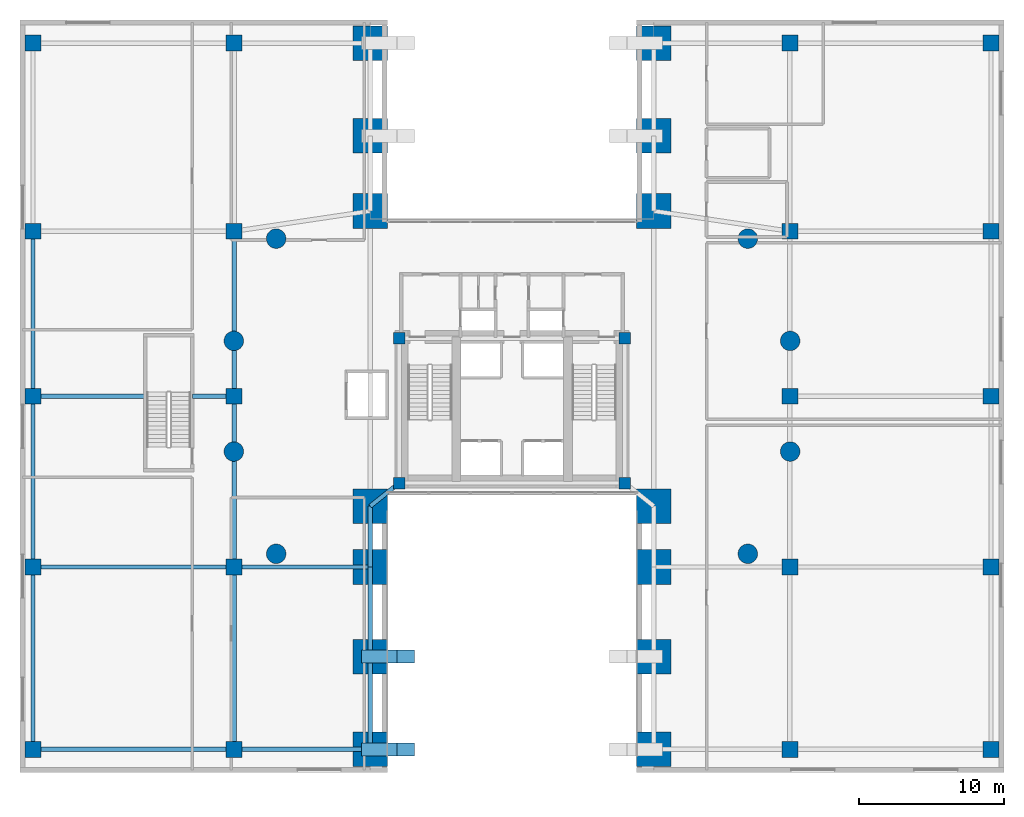
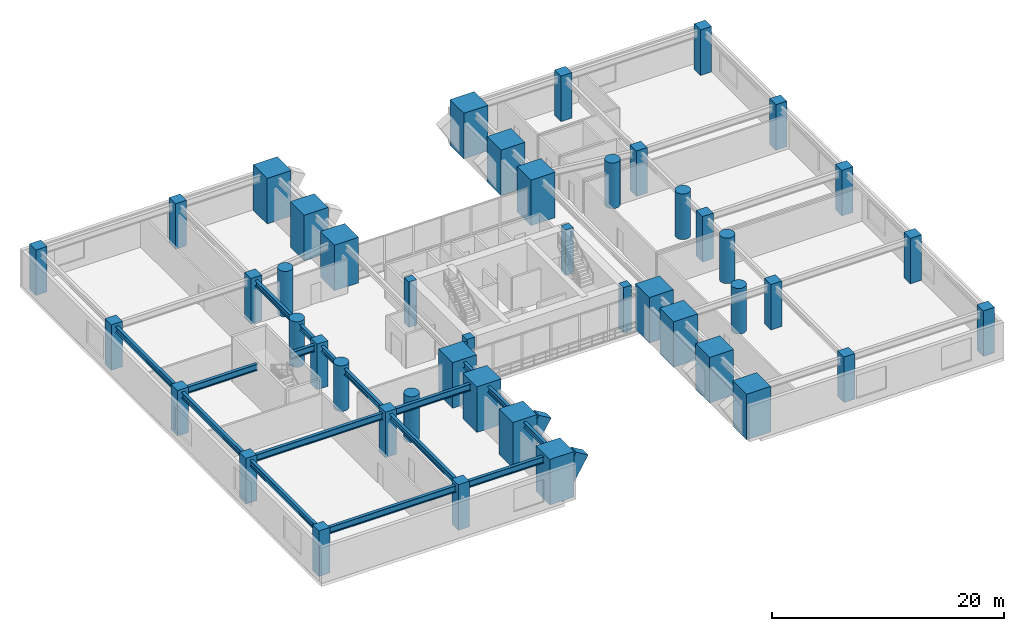
# One storey, part 1 of 14: 46 columns, 18 beams.
"""IFC4 building model written with IfcOpenShell, lengths in metres."""

from ifc_helpers import new_model, si_unit, direction, frame, origin, origin_2d, place, context, subcontext, project, spatial, rectangle, circle, i_section, extrude, material, material_profile, profile_set, type_object, element, save


model = new_model("IFC4")

# Units and contexts
model_context = context("Model", 3, precision=1e-05, world=origin(), true_north=direction((0.0, 1.0)))
body_context = subcontext(model_context, "Body", "Model", "MODEL_VIEW")
ifc_project = project(units=[si_unit("LENGTHUNIT", "METRE"), si_unit("AREAUNIT", "SQUARE_METRE"), si_unit("VOLUMEUNIT", "CUBIC_METRE"), si_unit("PLANEANGLEUNIT", "RADIAN"), si_unit("MASSUNIT", "GRAM", prefix="KILO"), si_unit("THERMODYNAMICTEMPERATUREUNIT", "KELVIN"), si_unit("POWERUNIT", "WATT")], contexts=[model_context])

# Site, building, storey
site_placement = place(None, origin())
site = spatial("IfcSite", under=ifc_project, at=site_placement, CompositionType="ELEMENT")
building_placement = place(site_placement, origin())
building = spatial("IfcBuilding", under=site, at=building_placement, Name="Ocrelia Relay Tower", CompositionType="ELEMENT")
storey_placement = place(building_placement, frame((0.0, 0.0, 5.39990234375)))
storey = spatial("IfcBuildingStorey", under=building, at=storey_placement, Name="L01", CompositionType="ELEMENT", Elevation=5.39990234375)

# Columns
ifc_material_1 = material(Name="Concrete C70/85", Category="concrete")
ifc_material_profile_1 = material_profile(ifc_material_1, rectangle(XDim=1.10009765625, YDim=1.10009765625, at=origin_2d()), Name="RC-COL-1100x1100")
ifc_profile_set_1 = profile_set([ifc_material_profile_1], Name="Concrete C70/85")
column_type_1 = type_object("IfcColumnType", Name="COL-CC-1100", PredefinedType="COLUMN", material=ifc_profile_set_1)
for number, where, z_axis, x_axis, name in (
    (1, (0.89990234375, 1.60009765625, 0.0), (0.0, 0.0, 1.0), (1.0, 0.0, 0.0), "L01 Podium Column PC01"),
    (2, (0.89990234375, 14.199951171875, 0.0), (0.0, 0.0, 1.0), (1.0, 0.0, 0.0), "L01 Podium Column PC02"),
    (3, (0.89990234375, 26.0, 0.0), (0.0, 0.0, 1.0), (1.0, 0.0, 0.0), "L01 Podium Column PC03"),
    (4, (0.89990234375, 37.39990234375, 0.0), (0.0, 0.0, 1.0), (1.0, 0.0, 0.0), "L01 Podium Column PC04"),
    (5, (0.89990234375, 50.39990234375, 0.0), (0.0, 0.0, 1.0), (1.0, 0.0, 0.0), "L01 Podium Column PC05"),
    (6, (14.800048828125, 1.60009765625, 0.0), (0.0, 0.0, 1.0), (1.0, 0.0, 0.0), "L01 Podium Column PC06"),
    (7, (14.800048828125, 14.199951171875, 0.0), (0.0, 0.0, 1.0), (1.0, 0.0, 0.0), "L01 Podium Column PC07"),
    (8, (14.800048828125, 26.0, 0.0), (0.0, 0.0, 1.0), (1.0, 0.0, 0.0), "L01 Podium Column PC08"),
    (9, (14.800048828125, 37.39990234375, 0.0), (0.0, 0.0, 1.0), (1.0, 0.0, 0.0), "L01 Podium Column PC09"),
    (10, (14.800048828125, 50.39990234375, 0.0), (0.0, 0.0, 1.0), (1.0, 0.0, 0.0), "L01 Podium Column PC10"),
    (11, (53.199951171875, 1.60009765625, 0.0), (0.0, 0.0, 1.0), (1.0, 0.0, 0.0), "L01 Podium Column PC11"),
    (12, (53.199951171875, 14.199951171875, 0.0), (0.0, 0.0, 1.0), (1.0, 0.0, 0.0), "L01 Podium Column PC12"),
    (13, (53.199951171875, 26.0, 0.0), (0.0, 0.0, 1.0), (1.0, 0.0, 0.0), "L01 Podium Column PC13"),
    (14, (53.199951171875, 37.39990234375, 0.0), (0.0, 0.0, 1.0), (1.0, 0.0, 0.0), "L01 Podium Column PC14"),
    (15, (53.199951171875, 50.39990234375, 0.0), (0.0, 0.0, 1.0), (1.0, 0.0, 0.0), "L01 Podium Column PC15"),
    (16, (67.10009765625, 1.60009765625, 0.0), (0.0, 0.0, 1.0), (1.0, 0.0, 0.0), "L01 Podium Column PC16"),
    (17, (67.10009765625, 14.199951171875, 0.0), (0.0, 0.0, 1.0), (1.0, 0.0, 0.0), "L01 Podium Column PC17"),
    (18, (67.10009765625, 26.0, 0.0), (0.0, 0.0, 1.0), (1.0, 0.0, 0.0), "L01 Podium Column PC18"),
    (19, (67.10009765625, 37.39990234375, 0.0), (0.0, 0.0, 1.0), (1.0, 0.0, 0.0), "L01 Podium Column PC19"),
    (20, (67.10009765625, 50.39990234375, 0.0), (0.0, 0.0, 1.0), (1.0, 0.0, 0.0), "L01 Podium Column PC20"),
):
    element("IfcColumn", number, at=place(storey_placement, frame(where, z_axis=z_axis, x_axis=x_axis)), inside=storey, type_object=column_type_1, Name=name, PredefinedType="COLUMN", context=body_context, shape_type="SweptSolid", body=[
        extrude(rectangle(XDim=1.10009765625, YDim=1.10009765625, at=origin_2d()), origin(), (0.0, 0.0, 1.0), 4.800048828125),
    ])
ifc_material_profile_2 = material_profile(ifc_material_1, circle(Radius=0.675048828125, at=origin_2d()), Name="RC-CIR-1350")
ifc_profile_set_2 = profile_set([ifc_material_profile_2], Name="Concrete C70/85")
column_type_2 = type_object("IfcColumnType", Name="COL-CT-1350", PredefinedType="COLUMN", material=ifc_profile_set_2)
for number, where, z_axis, x_axis, name in (
    (21, (53.223388671875, 29.82373046875, 0.0), (0.0, 0.0, 1.0), (1.0, 0.0, 0.0), "L01 Tower Ring Column Z1-01"),
    (22, (50.296875, 36.88916015625, 0.0), (0.0, 0.0, 1.0), (1.0, 0.0, 0.0), "L01 Tower Ring Column Z1-02"),
    (23, (17.703125, 36.88916015625, 0.0), (0.0, 0.0, 1.0), (1.0, 0.0, 0.0), "L01 Tower Ring Column Z1-07"),
    (24, (14.776611328125, 29.82373046875, 0.0), (0.0, 0.0, 1.0), (1.0, 0.0, 0.0), "L01 Tower Ring Column Z1-08"),
    (25, (14.776611328125, 22.17626953125, 0.0), (0.0, 0.0, 1.0), (1.0, 0.0, 0.0), "L01 Tower Ring Column Z1-09"),
    (26, (17.703125, 15.11083984375, 0.0), (0.0, 0.0, 1.0), (1.0, 0.0, 0.0), "L01 Tower Ring Column Z1-10"),
    (27, (50.296875, 15.11083984375, 0.0), (0.0, 0.0, 1.0), (1.0, 0.0, 0.0), "L01 Tower Ring Column Z1-15"),
    (28, (53.223388671875, 22.17626953125, 0.0), (0.0, 0.0, 1.0), (1.0, 0.0, 0.0), "L01 Tower Ring Column Z1-16"),
):
    element("IfcColumn", number, at=place(storey_placement, frame(where, z_axis=z_axis, x_axis=x_axis)), inside=storey, type_object=column_type_2, Name=name, PredefinedType="COLUMN", context=body_context, shape_type="SweptSolid", body=[
        extrude(circle(Radius=0.675048828125, at=origin_2d()), origin(), (0.0, 0.0, 1.0), 4.800048828125),
    ])
ifc_material_profile_3 = material_profile(ifc_material_1, rectangle(XDim=2.39990234375, YDim=2.39990234375, at=origin_2d()), Name="RC-PIER-2400x2400")
ifc_profile_set_3 = profile_set([ifc_material_profile_3], Name="Concrete C70/85")
column_type_3 = type_object("IfcColumnType", Name="COL-PIER-2400", PredefinedType="USERDEFINED", material=ifc_profile_set_3)
for number, where, z_axis, x_axis, name in (
    (29, (24.199951171875, 1.60009765625, 0.0), (0.0, 0.0, 1.0), (1.0, 0.0, 0.0), "L01 Portal Arch Pier P01"),
    (30, (24.199951171875, 8.0, 0.0), (0.0, 0.0, 1.0), (1.0, 0.0, 0.0), "L01 Portal Arch Pier P02"),
    (31, (24.199951171875, 14.199951171875, 0.0), (0.0, 0.0, 1.0), (1.0, 0.0, 0.0), "L01 Portal Arch Pier P03"),
    (32, (24.199951171875, 18.39990234375, 0.0), (0.0, 0.0, 1.0), (1.0, 0.0, 0.0), "L01 Portal Arch Pier P04"),
    (33, (24.199951171875, 38.800048828125, 0.0), (0.0, 0.0, 1.0), (1.0, 0.0, 0.0), "L01 Portal Arch Pier P05"),
    (34, (24.199951171875, 44.0, 0.0), (0.0, 0.0, 1.0), (1.0, 0.0, 0.0), "L01 Portal Arch Pier P06"),
    (35, (24.199951171875, 50.39990234375, 0.0), (0.0, 0.0, 1.0), (1.0, 0.0, 0.0), "L01 Portal Arch Pier P07"),
    (36, (43.800048828125, 1.60009765625, 0.0), (0.0, 0.0, 1.0), (1.0, 0.0, 0.0), "L01 Portal Arch Pier P08"),
    (37, (43.800048828125, 8.0, 0.0), (0.0, 0.0, 1.0), (1.0, 0.0, 0.0), "L01 Portal Arch Pier P09"),
    (38, (43.800048828125, 14.199951171875, 0.0), (0.0, 0.0, 1.0), (1.0, 0.0, 0.0), "L01 Portal Arch Pier P10"),
    (39, (43.800048828125, 18.39990234375, 0.0), (0.0, 0.0, 1.0), (1.0, 0.0, 0.0), "L01 Portal Arch Pier P11"),
    (40, (43.800048828125, 38.800048828125, 0.0), (0.0, 0.0, 1.0), (1.0, 0.0, 0.0), "L01 Portal Arch Pier P12"),
    (41, (43.800048828125, 44.0, 0.0), (0.0, 0.0, 1.0), (1.0, 0.0, 0.0), "L01 Portal Arch Pier P13"),
    (42, (43.800048828125, 50.39990234375, 0.0), (0.0, 0.0, 1.0), (1.0, 0.0, 0.0), "L01 Portal Arch Pier P14"),
):
    element("IfcColumn", number, at=place(storey_placement, frame(where, z_axis=z_axis, x_axis=x_axis)), inside=storey, type_object=column_type_3, Name=name, ObjectType="PORTAL PIER", PredefinedType="USERDEFINED", context=body_context, shape_type="SweptSolid", body=[
        extrude(rectangle(XDim=2.39990234375, YDim=2.39990234375, at=origin_2d()), origin(), (0.0, 0.0, 1.0), 4.800048828125),
    ])
ifc_material_2 = material(Name="Concrete C60/75", Category="concrete")
ifc_material_profile_4 = material_profile(ifc_material_2, rectangle(XDim=0.800048828125, YDim=0.800048828125, at=origin_2d()), Name="RC-COL-800x800")
ifc_profile_set_4 = profile_set([ifc_material_profile_4], Name="Concrete C60/75")
column_type_4 = type_object("IfcColumnType", Name="COL-PILASTER-800", PredefinedType="PILASTER", material=ifc_profile_set_4)
for number, where, z_axis, x_axis, name in (
    (43, (26.199951171875, 20.0, 0.0), (0.0, 0.0, 1.0), (1.0, 0.0, 0.0), "L01 Core Corner Pilaster SW"),
    (44, (41.800048828125, 20.0, 0.0), (0.0, 0.0, 1.0), (1.0, 0.0, 0.0), "L01 Core Corner Pilaster SE"),
    (45, (26.199951171875, 30.0, 0.0), (0.0, 0.0, 1.0), (1.0, 0.0, 0.0), "L01 Core Corner Pilaster NW"),
    (46, (41.800048828125, 30.0, 0.0), (0.0, 0.0, 1.0), (1.0, 0.0, 0.0), "L01 Core Corner Pilaster NE"),
):
    element("IfcColumn", number, at=place(storey_placement, frame(where, z_axis=z_axis, x_axis=x_axis)), inside=storey, type_object=column_type_4, Name=name, PredefinedType="PILASTER", context=body_context, shape_type="SweptSolid", body=[
        extrude(rectangle(XDim=0.800048828125, YDim=0.800048828125, at=origin_2d()), origin(), (0.0, 0.0, 1.0), 4.800048828125),
    ])

# Beams
ifc_material_profile_5 = material_profile(ifc_material_1, rectangle(XDim=0.89990234375, YDim=1.39990234375, at=origin_2d()), Name="RC-BM-900x1400")
ifc_profile_set_5 = profile_set([ifc_material_profile_5], Name="Concrete C70/85")
beam_type_1 = type_object("IfcBeamType", Name="BM-ARCH-RIB", PredefinedType="USERDEFINED", material=ifc_profile_set_5)
for number, where, z_axis, x_axis, name in (
    (47, (24.199951171875, 1.60009765625, -0.39990234375), (0.513614846674, 0.0, 0.858020855968), (0.0, 1.0, 0.0), "Monumental Portal Arch Rib S1 Seg 1"),
    (48, (24.199951171875, 8.0, -0.39990234375), (0.513614846674, 0.0, 0.858020855968), (0.0, 1.0, 0.0), "Monumental Portal Arch Rib S2 Seg 1"),
):
    element("IfcBeam", number, at=place(storey_placement, frame(where, z_axis=z_axis, x_axis=x_axis)), inside=storey, type_object=beam_type_1, Name=name, ObjectType="PORTAL ARCH", PredefinedType="USERDEFINED", context=body_context, shape_type="SweptSolid", body=[
        extrude(rectangle(XDim=0.89990234375, YDim=1.39990234375, at=origin_2d()), origin(), (0.0, 0.0, 1.0), 4.77001953125),
    ])
ifc_material_3 = material(Name="Steel S355", Category="steel")
ifc_material_profile_6 = material_profile(ifc_material_3, i_section(OverallWidth=0.300048828125, OverallDepth=0.60009765625, WebThickness=0.015380859375, FlangeThickness=0.030029296875, FilletRadius=0.027099609375, at=origin_2d()), Name="HEB 600")
ifc_profile_set_6 = profile_set([ifc_material_profile_6], Name="Steel S355")
beam_type_2 = type_object("IfcBeamType", Name="BM-HEB600", PredefinedType="BEAM", material=ifc_profile_set_6)
beam_1_placement = place(storey_placement, frame((0.89990234375, 1.60009765625, 4.18017578125), z_axis=(0.0, 1.0, 0.0), x_axis=(-1.0, 0.0, 0.0)))
element("IfcBeam", 49, at=beam_1_placement, inside=storey, type_object=beam_type_2, Name="L01 Podium Span Girder W-1", PredefinedType="BEAM", context=body_context, shape_type="SweptSolid", body=[
    extrude(i_section(OverallWidth=0.300048828125, OverallDepth=0.60009765625, WebThickness=0.015380859375, FlangeThickness=0.030029296875, FilletRadius=0.027099609375, at=origin_2d()), origin(), (0.0, 0.0, 1.0), 12.599853515625),
])
beam_2_placement = place(storey_placement, frame((0.89990234375, 14.199951171875, 4.18017578125), z_axis=(0.0, 1.0, 0.0), x_axis=(-1.0, 0.0, 0.0)))
element("IfcBeam", 50, at=beam_2_placement, inside=storey, type_object=beam_type_2, Name="L01 Podium Span Girder W-2", PredefinedType="BEAM", context=body_context, shape_type="SweptSolid", body=[
    extrude(i_section(OverallWidth=0.300048828125, OverallDepth=0.60009765625, WebThickness=0.015380859375, FlangeThickness=0.030029296875, FilletRadius=0.027099609375, at=origin_2d()), origin(), (0.0, 0.0, 1.0), 11.800048828125),
])
beam_3_placement = place(storey_placement, frame((0.89990234375, 26.0, 4.18017578125), z_axis=(0.0, 1.0, 0.0), x_axis=(-1.0, 0.0, 0.0)))
element("IfcBeam", 51, at=beam_3_placement, inside=storey, type_object=beam_type_2, Name="L01 Podium Span Girder W-3", PredefinedType="BEAM", context=body_context, shape_type="SweptSolid", body=[
    extrude(i_section(OverallWidth=0.300048828125, OverallDepth=0.60009765625, WebThickness=0.015380859375, FlangeThickness=0.030029296875, FilletRadius=0.027099609375, at=origin_2d()), origin(), (0.0, 0.0, 1.0), 11.39990234375),
])
beam_4_placement = place(storey_placement, frame((14.800048828125, 1.60009765625, 4.18017578125), z_axis=(0.0, 1.0, 0.0), x_axis=(-1.0, 0.0, 0.0)))
element("IfcBeam", 52, at=beam_4_placement, inside=storey, type_object=beam_type_2, Name="L01 Podium Span Girder IW-1", PredefinedType="BEAM", context=body_context, shape_type="SweptSolid", body=[
    extrude(i_section(OverallWidth=0.300048828125, OverallDepth=0.60009765625, WebThickness=0.015380859375, FlangeThickness=0.030029296875, FilletRadius=0.027099609375, at=origin_2d()), origin(), (0.0, 0.0, 1.0), 12.599853515625),
])
beam_5_placement = place(storey_placement, frame((14.800048828125, 14.199951171875, 4.18017578125), z_axis=(0.0, 1.0, 0.0), x_axis=(-1.0, 0.0, 0.0)))
element("IfcBeam", 53, at=beam_5_placement, inside=storey, type_object=beam_type_2, Name="L01 Podium Span Girder IW-2", PredefinedType="BEAM", context=body_context, shape_type="SweptSolid", body=[
    extrude(i_section(OverallWidth=0.300048828125, OverallDepth=0.60009765625, WebThickness=0.015380859375, FlangeThickness=0.030029296875, FilletRadius=0.027099609375, at=origin_2d()), origin(), (0.0, 0.0, 1.0), 11.800048828125),
])
beam_6_placement = place(storey_placement, frame((14.800048828125, 26.0, 4.18017578125), z_axis=(0.0, 1.0, 0.0), x_axis=(-1.0, 0.0, 0.0)))
element("IfcBeam", 54, at=beam_6_placement, inside=storey, type_object=beam_type_2, Name="L01 Podium Span Girder IW-3", PredefinedType="BEAM", context=body_context, shape_type="SweptSolid", body=[
    extrude(i_section(OverallWidth=0.300048828125, OverallDepth=0.60009765625, WebThickness=0.015380859375, FlangeThickness=0.030029296875, FilletRadius=0.027099609375, at=origin_2d()), origin(), (0.0, 0.0, 1.0), 11.39990234375),
])
beam_7_placement = place(storey_placement, frame((24.199951171875, 1.60009765625, 4.18017578125), z_axis=(0.0, 1.0, 0.0), x_axis=(-1.0, 0.0, 0.0)))
element("IfcBeam", 55, at=beam_7_placement, inside=storey, type_object=beam_type_2, Name="L01 Pier Line Tie Girder AW-1", PredefinedType="BEAM", context=body_context, shape_type="SweptSolid", body=[
    extrude(i_section(OverallWidth=0.300048828125, OverallDepth=0.60009765625, WebThickness=0.015380859375, FlangeThickness=0.030029296875, FilletRadius=0.027099609375, at=origin_2d()), origin(), (0.0, 0.0, 1.0), 6.39990234375),
])
beam_8_placement = place(storey_placement, frame((24.199951171875, 8.0, 4.18017578125), z_axis=(0.0, 1.0, 0.0), x_axis=(-1.0, 0.0, 0.0)))
element("IfcBeam", 56, at=beam_8_placement, inside=storey, type_object=beam_type_2, Name="L01 Pier Line Tie Girder AW-2", PredefinedType="BEAM", context=body_context, shape_type="SweptSolid", body=[
    extrude(i_section(OverallWidth=0.300048828125, OverallDepth=0.60009765625, WebThickness=0.015380859375, FlangeThickness=0.030029296875, FilletRadius=0.027099609375, at=origin_2d()), origin(), (0.0, 0.0, 1.0), 6.199951171875),
])
beam_9_placement = place(storey_placement, frame((24.199951171875, 14.199951171875, 4.18017578125), z_axis=(0.0, 1.0, 0.0), x_axis=(-1.0, 0.0, 0.0)))
element("IfcBeam", 57, at=beam_9_placement, inside=storey, type_object=beam_type_2, Name="L01 Pier Line Tie Girder AW-3", PredefinedType="BEAM", context=body_context, shape_type="SweptSolid", body=[
    extrude(i_section(OverallWidth=0.300048828125, OverallDepth=0.60009765625, WebThickness=0.015380859375, FlangeThickness=0.030029296875, FilletRadius=0.027099609375, at=origin_2d()), origin(), (0.0, 0.0, 1.0), 4.199951171875),
])
beam_10_placement = place(storey_placement, frame((24.199951171875, 18.39990234375, 4.18017578125), z_axis=(0.78085021034, 0.624718295724, 0.0), x_axis=(-0.624718295724, 0.78085021034, 0.0)))
element("IfcBeam", 58, at=beam_10_placement, inside=storey, type_object=beam_type_2, Name="L01 Core Pilaster Link Girder AWS", PredefinedType="BEAM", context=body_context, shape_type="SweptSolid", body=[
    extrude(i_section(OverallWidth=0.300048828125, OverallDepth=0.60009765625, WebThickness=0.015380859375, FlangeThickness=0.030029296875, FilletRadius=0.027099609375, at=origin_2d()), origin(), (0.0, 0.0, 1.0), 2.561279296875),
])
ifc_material_profile_7 = material_profile(ifc_material_3, i_section(OverallWidth=0.300048828125, OverallDepth=0.699951171875, WebThickness=0.01708984375, FlangeThickness=0.031982421875, FilletRadius=0.027099609375, at=origin_2d()), Name="HEB 700")
ifc_profile_set_7 = profile_set([ifc_material_profile_7], Name="Steel S355")
beam_type_3 = type_object("IfcBeamType", Name="BM-HEB700", PredefinedType="BEAM", material=ifc_profile_set_7)
beam_11_placement = place(storey_placement, frame((0.89990234375, 1.60009765625, 4.130126953125), z_axis=(1.0, 0.0, 0.0), x_axis=(0.0, 1.0, 0.0)))
element("IfcBeam", 59, at=beam_11_placement, inside=storey, type_object=beam_type_3, Name="L01 West Outer Podium Girder S", PredefinedType="BEAM", context=body_context, shape_type="SweptSolid", body=[
    extrude(i_section(OverallWidth=0.300048828125, OverallDepth=0.699951171875, WebThickness=0.01708984375, FlangeThickness=0.031982421875, FilletRadius=0.027099609375, at=origin_2d()), origin(), (0.0, 0.0, 1.0), 13.900146484375),
])
beam_12_placement = place(storey_placement, frame((14.800048828125, 1.60009765625, 4.130126953125), z_axis=(1.0, 0.0, 0.0), x_axis=(0.0, 1.0, 0.0)))
element("IfcBeam", 60, at=beam_12_placement, inside=storey, type_object=beam_type_3, Name="L01 West Inner Podium Girder S", PredefinedType="BEAM", context=body_context, shape_type="SweptSolid", body=[
    extrude(i_section(OverallWidth=0.300048828125, OverallDepth=0.699951171875, WebThickness=0.01708984375, FlangeThickness=0.031982421875, FilletRadius=0.027099609375, at=origin_2d()), origin(), (0.0, 0.0, 1.0), 9.39990234375),
])
beam_13_placement = place(storey_placement, frame((0.89990234375, 14.199951171875, 4.130126953125), z_axis=(1.0, 0.0, 0.0), x_axis=(0.0, 1.0, 0.0)))
element("IfcBeam", 61, at=beam_13_placement, inside=storey, type_object=beam_type_3, Name="L01 West Outer Podium Girder M1", PredefinedType="BEAM", context=body_context, shape_type="SweptSolid", body=[
    extrude(i_section(OverallWidth=0.300048828125, OverallDepth=0.699951171875, WebThickness=0.01708984375, FlangeThickness=0.031982421875, FilletRadius=0.027099609375, at=origin_2d()), origin(), (0.0, 0.0, 1.0), 13.900146484375),
])
beam_14_placement = place(storey_placement, frame((14.800048828125, 14.199951171875, 4.130126953125), z_axis=(1.0, 0.0, 0.0), x_axis=(0.0, 1.0, 0.0)))
element("IfcBeam", 62, at=beam_14_placement, inside=storey, type_object=beam_type_3, Name="L01 West Inner Podium Girder M1", PredefinedType="BEAM", context=body_context, shape_type="SweptSolid", body=[
    extrude(i_section(OverallWidth=0.300048828125, OverallDepth=0.699951171875, WebThickness=0.01708984375, FlangeThickness=0.031982421875, FilletRadius=0.027099609375, at=origin_2d()), origin(), (0.0, 0.0, 1.0), 9.39990234375),
])
beam_15_placement = place(storey_placement, frame((0.89990234375, 26.0, 4.130126953125), z_axis=(1.0, 0.0, 0.0), x_axis=(0.0, 1.0, 0.0)))
element("IfcBeam", 63, at=beam_15_placement, inside=storey, type_object=beam_type_3, Name="L01 West Mid Podium Girder Outer", PredefinedType="BEAM", context=body_context, shape_type="SweptSolid", body=[
    extrude(i_section(OverallWidth=0.300048828125, OverallDepth=0.699951171875, WebThickness=0.01708984375, FlangeThickness=0.031982421875, FilletRadius=0.027099609375, at=origin_2d()), origin(), (0.0, 0.0, 1.0), 7.752197265625),
])
beam_16_placement = place(storey_placement, frame((11.907958984375, 26.0, 4.130126953125), z_axis=(1.0, 0.0, 0.0), x_axis=(0.0, 1.0, 0.0)))
element("IfcBeam", 64, at=beam_16_placement, inside=storey, type_object=beam_type_3, Name="L01 West Mid Podium Girder Inner", PredefinedType="BEAM", context=body_context, shape_type="SweptSolid", body=[
    extrude(i_section(OverallWidth=0.300048828125, OverallDepth=0.699951171875, WebThickness=0.01708984375, FlangeThickness=0.031982421875, FilletRadius=0.027099609375, at=origin_2d()), origin(), (0.0, 0.0, 1.0), 2.89208984375),
])

save(model, "model.ifc")
